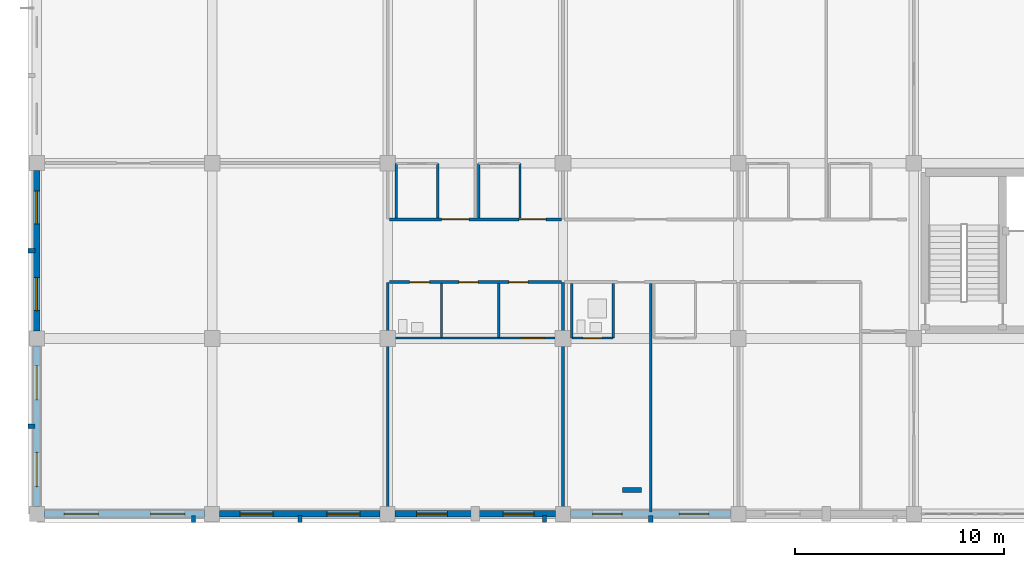
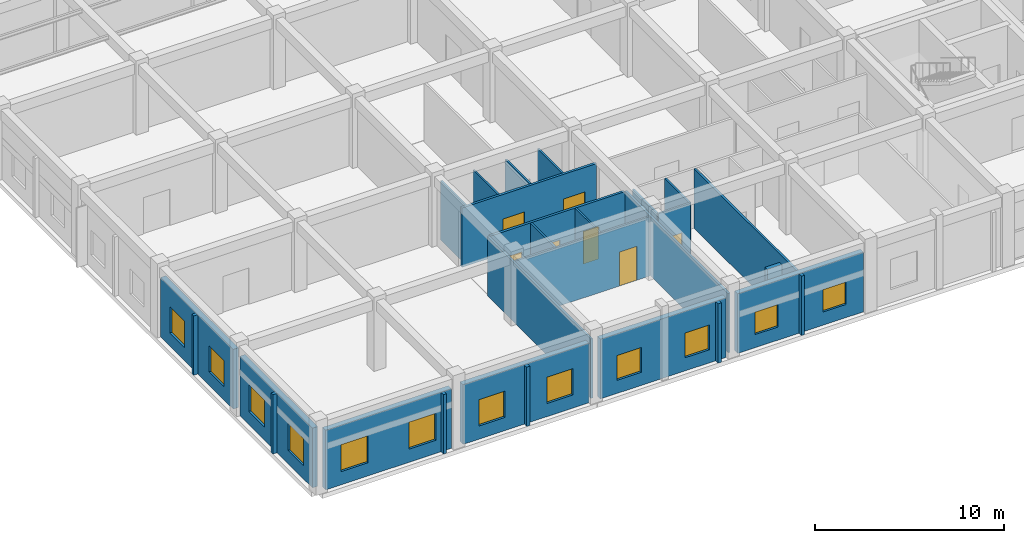
# One storey, part 114 of 158: 28 walls, 12 windows, 7 doors, 19 openings.
"""IFC4 building model written with IfcOpenShell, lengths in metres."""

from ifc_helpers import new_model, si_unit, direction, frame, frame_2d, origin, place, context, subcontext, project, spatial, rectangle, extrude, material, layer, layer_set, type_object, element, fill, save


model = new_model("IFC4")

# Units and contexts
model_context = context("Model", 3, precision=1e-05, world=origin(), true_north=direction((0.0, 1.0)))
body_context = subcontext(model_context, "Body", "Model", "MODEL_VIEW")
ifc_project = project(units=[si_unit("LENGTHUNIT", "METRE"), si_unit("AREAUNIT", "SQUARE_METRE"), si_unit("VOLUMEUNIT", "CUBIC_METRE"), si_unit("PLANEANGLEUNIT", "RADIAN"), si_unit("MASSUNIT", "GRAM", prefix="KILO")], contexts=[model_context])

# Site, building, storey
site_placement = place(None, origin())
site = spatial("IfcSite", under=ifc_project, at=site_placement, CompositionType="ELEMENT")
building_placement = place(site_placement, origin())
building = spatial("IfcBuilding", under=site, at=building_placement, Name="Trelvath General Hospital", CompositionType="ELEMENT")
storey_placement = place(building_placement, frame((0.0, 0.0, 8.10009765625)))
storey = spatial("IfcBuildingStorey", under=building, at=storey_placement, Name="L02", CompositionType="ELEMENT", Elevation=8.10009765625)

# Walls
ifc_material_1 = material(Name="Precast concrete C40/50", Category="concrete")
ifc_layer_1 = layer(ifc_material_1, 0.199951171875)
ifc_layer_set_1 = layer_set([ifc_layer_1], Name="Precast concrete C40/50")
wall_type_1 = type_object("IfcWallType", Name="BriseSoleilRib 200", PredefinedType="ELEMENTEDWALL", material=ifc_layer_set_1)
for number, where, z_axis, x_axis, name in (
    (1, (7.506591796875, -0.074951171875, 0.0), (0.0, 0.0, 1.0), (0.0, -1.0, 0.0), "Precast Concrete Brise-Soleil Rib Fin L02-159"),
    (2, (-0.074951171875, 4.199951171875, 0.0), (0.0, 0.0, 1.0), (-1.0, 0.0, 0.0), "Precast Concrete Brise-Soleil Rib Fin L02-160"),
    (3, (-0.074951171875, 12.60009765625, 0.0), (0.0, 0.0, 1.0), (-1.0, 0.0, 0.0), "Precast Concrete Brise-Soleil Rib Fin L02-161"),
    (4, (12.60009765625, -0.074951171875, 0.0), (0.0, 0.0, 1.0), (0.0, -1.0, 0.0), "Precast Concrete Brise-Soleil Rib Fin L02-173"),
    (5, (24.306640625, -0.074951171875, 0.0), (0.0, 0.0, 1.0), (0.0, -1.0, 0.0), "Precast Concrete Brise-Soleil Rib Fin L02-175"),
    (6, (29.39990234375, -0.074951171875, 0.0), (0.0, 0.0, 1.0), (0.0, -1.0, 0.0), "Precast Concrete Brise-Soleil Rib Fin L02-177"),
):
    element("IfcWall", number, at=place(storey_placement, frame(where, z_axis=z_axis, x_axis=x_axis)), inside=storey, type_object=wall_type_1, Name=name, PredefinedType="ELEMENTEDWALL", context=body_context, shape_type="SweptSolid", body=[
        extrude(rectangle(XDim=0.340087890625, YDim=0.199951171875, at=frame_2d((0.169921875, 0.0))), origin(), (0.0, 0.0, 1.0), 3.83984375),
    ])

# Wall, openings, doors
ifc_material_2 = material(Name="Gypsum acoustic steel-stud partition", Category="steel")
ifc_layer_2 = layer(ifc_material_2, 0.14990234375)
ifc_layer_set_2 = layer_set([ifc_layer_2], Name="Gypsum acoustic steel-stud partition")
wall_type_2 = type_object("IfcWallType", Name="ClinicalPartition 150", PredefinedType="PARTITIONING", material=ifc_layer_set_2)
wall_1_placement = place(storey_placement, frame((16.8798828125, 11.10009765625, 0.0), z_axis=(0.0, 0.0, 1.0), x_axis=(1.0, 0.0, 0.0)))
wall_1 = element("IfcWall", 7, at=wall_1_placement, inside=storey, type_object=wall_type_2, Name="Corridor Partition L02-678", PredefinedType="PARTITIONING", context=body_context, shape_type="SweptSolid", body=[
    extrude(rectangle(XDim=8.240234375, YDim=0.14990234375, at=frame_2d((4.1201171875, 0.0))), origin(), (0.0, 0.0, 1.0), 3.83984375),
])
opening_1_placement = place(wall_1_placement, frame((0.97998046875, 0.0, 0.0)))
opening_1 = element("IfcOpeningElement", 8, at=opening_1_placement, cuts=wall_1, Name="Opening D-2-0626", PredefinedType="OPENING", context=body_context, shape_type="SweptSolid", body=[
    extrude(rectangle(XDim=0.949951171875, YDim=2.14990234375, at=frame_2d((0.47509765625, 1.074951171875))), frame((0.0, 0.0849609375, 0.0), z_axis=(0.0, -1.0, 0.0), x_axis=(1.0, 0.0, 0.0)), (0.0, 0.0, 1.0), 0.169921875),
])
opening_2_placement = place(wall_1_placement, frame((3.330078125, 0.0, 0.0)))
opening_2 = element("IfcOpeningElement", 9, at=opening_2_placement, cuts=wall_1, Name="Opening D-2-0627", PredefinedType="OPENING", context=body_context, shape_type="SweptSolid", body=[
    extrude(rectangle(XDim=0.919921875, YDim=2.10009765625, at=frame_2d((0.4599609375, 1.050048828125))), frame((0.0, 0.0849609375, 0.0), z_axis=(0.0, -1.0, 0.0), x_axis=(1.0, 0.0, 0.0)), (0.0, 0.0, 1.0), 0.169921875),
])
opening_3_placement = place(wall_1_placement, frame((5.72998046875, 0.0, 0.0)))
opening_3 = element("IfcOpeningElement", 10, at=opening_3_placement, cuts=wall_1, Name="Opening D-2-0628", PredefinedType="OPENING", context=body_context, shape_type="SweptSolid", body=[
    extrude(rectangle(XDim=0.919921875, YDim=2.10009765625, at=frame_2d((0.4599609375, 1.050048828125))), frame((0.0, 0.0849609375, 0.0), z_axis=(0.0, -1.0, 0.0), x_axis=(1.0, 0.0, 0.0)), (0.0, 0.0, 1.0), 0.169921875),
])
ifc_material_3 = material(Name="Moisture-sealed timber leaf", Category="wood")
door_type_1 = type_object("IfcDoorType", Name="Door AccessibleWC 950x2150", OperationType="NOTDEFINED", PredefinedType="DOOR", material=ifc_material_3)
door_1_placement = place(opening_1_placement, origin())
door_1 = element("IfcDoor", 11, at=door_1_placement, inside=storey, type_object=door_type_1, Name="Accessible WC Door L02-626", OperationType="SINGLE_SWING_RIGHT", OverallHeight=2.14990234375, OverallWidth=0.949951171875, PredefinedType="DOOR", context=body_context, shape_type="SweptSolid", body=[
    extrude(rectangle(XDim=0.949951171875, YDim=2.14990234375, at=frame_2d((0.47509765625, 1.074951171875))), frame((0.0, 0.02490234375, 0.0), z_axis=(0.0, -1.0, 0.0), x_axis=(1.0, 0.0, 0.0)), (0.0, 0.0, 1.0), 0.050048828125),
])
fill(opening_1, door_1)
ifc_material_4 = material(Name="Moisture-sealed timber leaf", Category="wood")
door_type_2 = type_object("IfcDoorType", Name="Door StaffWC 920x2100", OperationType="NOTDEFINED", PredefinedType="DOOR", material=ifc_material_4)
door_2_placement = place(opening_2_placement, origin())
door_2 = element("IfcDoor", 12, at=door_2_placement, inside=storey, type_object=door_type_2, Name="Public WC Door L02-627", OperationType="SINGLE_SWING_LEFT", OverallHeight=2.10009765625, OverallWidth=0.919921875, PredefinedType="DOOR", context=body_context, shape_type="SweptSolid", body=[
    extrude(rectangle(XDim=0.919921875, YDim=2.10009765625, at=frame_2d((0.4599609375, 1.050048828125))), frame((0.0, 0.02490234375, 0.0), z_axis=(0.0, -1.0, 0.0), x_axis=(1.0, 0.0, 0.0)), (0.0, 0.0, 1.0), 0.050048828125),
])
fill(opening_2, door_2)
door_3_placement = place(opening_3_placement, origin())
door_3 = element("IfcDoor", 13, at=door_3_placement, inside=storey, type_object=door_type_2, Name="Staff WC Door L02-628", OperationType="SINGLE_SWING_RIGHT", OverallHeight=2.10009765625, OverallWidth=0.919921875, PredefinedType="DOOR", context=body_context, shape_type="SweptSolid", body=[
    extrude(rectangle(XDim=0.919921875, YDim=2.10009765625, at=frame_2d((0.4599609375, 1.050048828125))), frame((0.0, 0.02490234375, 0.0), z_axis=(0.0, -1.0, 0.0), x_axis=(1.0, 0.0, 0.0)), (0.0, 0.0, 1.0), 0.050048828125),
])
fill(opening_3, door_3)

wall_2_placement = place(storey_placement, frame((25.1201171875, 14.10009765625, 0.0), z_axis=(0.0, 0.0, 1.0), x_axis=(-1.0, 0.0, 0.0)))
wall_2 = element("IfcWall", 14, at=wall_2_placement, inside=storey, type_object=wall_type_2, Name="Corridor Partition N L02-682", PredefinedType="PARTITIONING", context=body_context, shape_type="SweptSolid", body=[
    extrude(rectangle(XDim=8.240234375, YDim=0.14990234375, at=frame_2d((4.1201171875, 0.0))), origin(), (0.0, 0.0, 1.0), 3.83984375),
])
opening_4_placement = place(wall_2_placement, frame((0.72998046875, 0.0, 0.0)))
opening_4 = element("IfcOpeningElement", 15, at=opening_4_placement, cuts=wall_2, Name="Opening D-2-0630", PredefinedType="OPENING", context=body_context, shape_type="SweptSolid", body=[
    extrude(rectangle(XDim=1.300048828125, YDim=2.25, at=frame_2d((0.64990234375, 1.125))), frame((0.0, 0.0849609375, 0.0), z_axis=(0.0, -1.0, 0.0), x_axis=(1.0, 0.0, 0.0)), (0.0, 0.0, 1.0), 0.169921875),
])
opening_5_placement = place(wall_2_placement, frame((4.429931640625, 0.0, 0.0)))
opening_5 = element("IfcOpeningElement", 16, at=opening_5_placement, cuts=wall_2, Name="Opening D-2-0631", PredefinedType="OPENING", context=body_context, shape_type="SweptSolid", body=[
    extrude(rectangle(XDim=1.300048828125, YDim=2.25, at=frame_2d((0.64990234375, 1.125))), frame((0.0, 0.0849609375, 0.0), z_axis=(0.0, -1.0, 0.0), x_axis=(1.0, 0.0, 0.0)), (0.0, 0.0, 1.0), 0.169921875),
])
ifc_material_5 = material(Name="Hospital bed-leaf timber door", Category="wood")
door_type_3 = type_object("IfcDoorType", Name="Door PatientBed 1300x2250", OperationType="NOTDEFINED", PredefinedType="DOOR", material=ifc_material_5)
door_4_placement = place(opening_4_placement, origin())
door_4 = element("IfcDoor", 17, at=door_4_placement, inside=storey, type_object=door_type_3, Name="Patient Room Door N L02-630", OperationType="SINGLE_SWING_RIGHT", OverallHeight=2.25, OverallWidth=1.300048828125, PredefinedType="DOOR", context=body_context, shape_type="SweptSolid", body=[
    extrude(rectangle(XDim=1.300048828125, YDim=2.25, at=frame_2d((0.64990234375, 1.125))), frame((0.0, 0.02490234375, 0.0), z_axis=(0.0, -1.0, 0.0), x_axis=(1.0, 0.0, 0.0)), (0.0, 0.0, 1.0), 0.050048828125),
])
fill(opening_4, door_4)
door_5_placement = place(opening_5_placement, origin())
door_5 = element("IfcDoor", 18, at=door_5_placement, inside=storey, type_object=door_type_3, Name="Patient Room Door N L02-631", OperationType="SINGLE_SWING_RIGHT", OverallHeight=2.25, OverallWidth=1.300048828125, PredefinedType="DOOR", context=body_context, shape_type="SweptSolid", body=[
    extrude(rectangle(XDim=1.300048828125, YDim=2.25, at=frame_2d((0.64990234375, 1.125))), frame((0.0, 0.02490234375, 0.0), z_axis=(0.0, -1.0, 0.0), x_axis=(1.0, 0.0, 0.0)), (0.0, 0.0, 1.0), 0.050048828125),
])
fill(opening_5, door_5)

# Walls
ifc_material_6 = material(Name="Moisture-resistant tile partition")
ifc_layer_3 = layer(ifc_material_6, 0.110107421875)
ifc_layer_set_3 = layer_set([ifc_layer_3], Name="Moisture-resistant tile partition")
wall_type_3 = type_object("IfcWallType", Name="EnSuiteWetWall 110", PredefinedType="PARTITIONING", material=ifc_layer_set_3)
for number, where, z_axis, x_axis, name in (
    (19, (19.3798828125, 8.43994140625, 0.0), (0.0, 0.0, 1.0), (0.0, 1.0, 0.0), "WC Dividing Wall L02-679"),
    (20, (22.1201171875, 8.43994140625, 0.0), (0.0, 0.0, 1.0), (0.0, 1.0, 0.0), "WC Dividing Wall L02-680"),
):
    element("IfcWall", number, at=place(storey_placement, frame(where, z_axis=z_axis, x_axis=x_axis)), inside=storey, type_object=wall_type_3, Name=name, PredefinedType="PARTITIONING", context=body_context, shape_type="SweptSolid", body=[
        extrude(rectangle(XDim=2.590087890625, YDim=0.110107421875, at=frame_2d((1.294921875, 0.0))), origin(), (0.0, 0.0, 1.0), 3.83984375),
    ])

# Wall, opening, door
wall_3_placement = place(storey_placement, frame((16.8798828125, 8.419921875, 0.0), z_axis=(0.0, 0.0, 1.0), x_axis=(1.0, 0.0, 0.0)))
wall_3 = element("IfcWall", 21, at=wall_3_placement, inside=storey, type_object=wall_type_3, Name="Nurse Station Partition L02-681", PredefinedType="PARTITIONING", context=body_context, shape_type="SweptSolid", body=[
    extrude(rectangle(XDim=8.240234375, YDim=0.110107421875, at=frame_2d((4.1201171875, 0.0))), origin(), (0.0, 0.0, 1.0), 3.83984375),
])
opening_6_placement = place(wall_3_placement, frame((6.3798828125, 0.0, 0.0)))
opening_6 = element("IfcOpeningElement", 22, at=opening_6_placement, cuts=wall_3, Name="Opening D-2-0629", PredefinedType="OPENING", context=body_context, shape_type="SweptSolid", body=[
    extrude(rectangle(XDim=1.050048828125, YDim=2.199951171875, at=frame_2d((0.52490234375, 1.10009765625))), frame((0.0, 0.06494140625, 0.0), z_axis=(0.0, -1.0, 0.0), x_axis=(1.0, 0.0, 0.0)), (0.0, 0.0, 1.0), 0.130126953125),
])
ifc_material_7 = material(Name="Acoustic hospital timber leaf", Category="wood")
door_type_4 = type_object("IfcDoorType", Name="Door Consult 1050x2200", OperationType="NOTDEFINED", PredefinedType="DOOR", material=ifc_material_7)
door_6_placement = place(opening_6_placement, origin())
door_6 = element("IfcDoor", 23, at=door_6_placement, inside=storey, type_object=door_type_4, Name="Nurse Station Door L02-629", OperationType="SINGLE_SWING_LEFT", OverallHeight=2.199951171875, OverallWidth=1.050048828125, PredefinedType="DOOR", context=body_context, shape_type="SweptSolid", body=[
    extrude(rectangle(XDim=1.050048828125, YDim=2.199951171875, at=frame_2d((0.52490234375, 1.10009765625))), frame((0.0, 0.02490234375, 0.0), z_axis=(0.0, -1.0, 0.0), x_axis=(1.0, 0.0, 0.0)), (0.0, 0.0, 1.0), 0.050048828125),
])
fill(opening_6, door_6)

# Walls
for number, where, z_axis, x_axis, name in (
    (24, (17.219970703125, 14.169921875, 0.0), (0.0, 0.0, 1.0), (0.0, 1.0, 0.0), "En-Suite W Wall N L02-684"),
    (25, (19.199951171875, 14.169921875, 0.0), (0.0, 0.0, 1.0), (0.0, 1.0, 0.0), "En-Suite E Wall N L02-685"),
    (26, (21.159912109375, 14.169921875, 0.0), (0.0, 0.0, 1.0), (0.0, 1.0, 0.0), "En-Suite W Wall N L02-687"),
    (27, (23.139892578125, 14.169921875, 0.0), (0.0, 0.0, 1.0), (0.0, 1.0, 0.0), "En-Suite E Wall N L02-688"),
    (28, (25.6201171875, 8.419921875, 0.0), (0.0, 0.0, 1.0), (0.0, 1.0, 0.0), "En-Suite W Wall L02-694"),
    (29, (27.60009765625, 8.419921875, 0.0), (0.0, 0.0, 1.0), (0.0, 1.0, 0.0), "En-Suite E Wall L02-695"),
):
    element("IfcWall", number, at=place(storey_placement, frame(where, z_axis=z_axis, x_axis=x_axis)), inside=storey, type_object=wall_type_3, Name=name, PredefinedType="PARTITIONING", context=body_context, shape_type="SweptSolid", body=[
        extrude(rectangle(XDim=2.610107421875, YDim=0.110107421875, at=frame_2d((1.30517578125, 0.0))), origin(), (0.0, 0.0, 1.0), 3.83984375),
    ])

# Wall, opening, door
wall_4_placement = place(storey_placement, frame((25.6201171875, 8.419921875, 0.0), z_axis=(0.0, 0.0, 1.0), x_axis=(1.0, 0.0, 0.0)))
wall_4 = element("IfcWall", 30, at=wall_4_placement, inside=storey, type_object=wall_type_3, Name="En-Suite Bathroom Partition L02-696", PredefinedType="PARTITIONING", context=body_context, shape_type="SweptSolid", body=[
    extrude(rectangle(XDim=1.97998046875, YDim=0.110107421875, at=frame_2d((0.989990234375, 0.0))), origin(), (0.0, 0.0, 1.0), 3.83984375),
])
opening_7_placement = place(wall_4_placement, frame((0.5400390625, 0.0, 0.0)))
opening_7 = element("IfcOpeningElement", 31, at=opening_7_placement, cuts=wall_4, Name="Opening D-2-0636", PredefinedType="OPENING", context=body_context, shape_type="SweptSolid", body=[
    extrude(rectangle(XDim=0.89990234375, YDim=2.10009765625, at=frame_2d((0.449951171875, 1.050048828125))), frame((0.0, 0.06494140625, 0.0), z_axis=(0.0, -1.0, 0.0), x_axis=(1.0, 0.0, 0.0)), (0.0, 0.0, 1.0), 0.130126953125),
])
ifc_material_8 = material(Name="Moisture-sealed timber leaf", Category="wood")
door_type_5 = type_object("IfcDoorType", Name="Door EnSuite 900x2100", OperationType="NOTDEFINED", PredefinedType="DOOR", material=ifc_material_8)
door_7_placement = place(opening_7_placement, origin())
door_7 = element("IfcDoor", 32, at=door_7_placement, inside=storey, type_object=door_type_5, Name="En-Suite Bathroom Door L02-636", OperationType="SINGLE_SWING_LEFT", OverallHeight=2.10009765625, OverallWidth=0.89990234375, PredefinedType="DOOR", context=body_context, shape_type="SweptSolid", body=[
    extrude(rectangle(XDim=0.89990234375, YDim=2.10009765625, at=frame_2d((0.449951171875, 1.050048828125))), frame((0.0, 0.02490234375, 0.0), z_axis=(0.0, -1.0, 0.0), x_axis=(1.0, 0.0, 0.0)), (0.0, 0.0, 1.0), 0.050048828125),
])
fill(opening_7, door_7)

# Wall, openings, windows
ifc_material_9 = material(Name="Concrete C35/45", Category="concrete")
ifc_layer_4 = layer(ifc_material_9, 0.320068359375)
ifc_layer_set_4 = layer_set([ifc_layer_4], Name="Concrete C35/45")
wall_type_4 = type_object("IfcWallType", Name="ExtThermalWall 320", PredefinedType="SOLIDWALL", material=ifc_layer_set_4)
wall_5_placement = place(storey_placement, frame((8.044921875, 0.0, 0.0), z_axis=(0.0, 0.0, 1.0), x_axis=(-1.0, 0.0, 0.0)))
wall_5 = element("IfcWall", 33, at=wall_5_placement, inside=storey, type_object=wall_type_4, Name="Exterior Concrete Wall L02-220", PredefinedType="SOLIDWALL", context=body_context, shape_type="SweptSolid", body=[
    extrude(rectangle(XDim=7.68994140625, YDim=0.320068359375, at=frame_2d((3.844970703125, 0.0))), origin(), (0.0, 0.0, 1.0), 3.85986328125),
])
opening_8_placement = place(wall_5_placement, frame((0.94873046875, 0.0, 0.85009765625)))
opening_8 = element("IfcOpeningElement", 34, at=opening_8_placement, cuts=wall_5, Name="Opening WN-2-341", PredefinedType="OPENING", context=body_context, shape_type="SweptSolid", body=[
    extrude(rectangle(XDim=1.639892578125, YDim=1.75, at=frame_2d((0.81982421875, 0.875))), frame((0.0, 0.169921875, 0.0), z_axis=(0.0, -1.0, 0.0), x_axis=(1.0, 0.0, 0.0)), (0.0, 0.0, 1.0), 0.340087890625),
])
opening_9_placement = place(wall_5_placement, frame((5.101318359375, 0.0, 0.85009765625)))
opening_9 = element("IfcOpeningElement", 35, at=opening_9_placement, cuts=wall_5, Name="Opening WN-2-342", PredefinedType="OPENING", context=body_context, shape_type="SweptSolid", body=[
    extrude(rectangle(XDim=1.639892578125, YDim=1.75, at=frame_2d((0.81982421875, 0.875))), frame((0.0, 0.169921875, 0.0), z_axis=(0.0, -1.0, 0.0), x_axis=(1.0, 0.0, 0.0)), (0.0, 0.0, 1.0), 0.340087890625),
])
ifc_material_10 = material(Name="Low-E laminated glass", Category="glass")
window_type_1 = type_object("IfcWindowType", Name="Window ICU 1640x1750", PartitioningType="DOUBLE_PANEL_VERTICAL", PredefinedType="WINDOW", material=ifc_material_10)
window_1_placement = place(opening_8_placement, origin())
window_1 = element("IfcWindow", 36, at=window_1_placement, inside=storey, type_object=window_type_1, Name="Solar Reveal Window L02-341", OverallHeight=1.75, OverallWidth=1.639892578125, PartitioningType="SINGLE_PANEL", PredefinedType="WINDOW", context=body_context, shape_type="SweptSolid", body=[
    extrude(rectangle(XDim=1.639892578125, YDim=1.75, at=frame_2d((0.81982421875, 0.875))), frame((0.0, 0.030029296875, 0.0), z_axis=(0.0, -1.0, 0.0), x_axis=(1.0, 0.0, 0.0)), (0.0, 0.0, 1.0), 0.06005859375),
])
fill(opening_8, window_1)
window_2_placement = place(opening_9_placement, origin())
window_2 = element("IfcWindow", 37, at=window_2_placement, inside=storey, type_object=window_type_1, Name="Solar Reveal Window L02-342", OverallHeight=1.75, OverallWidth=1.639892578125, PartitioningType="SINGLE_PANEL", PredefinedType="WINDOW", context=body_context, shape_type="SweptSolid", body=[
    extrude(rectangle(XDim=1.639892578125, YDim=1.75, at=frame_2d((0.81982421875, 0.875))), frame((0.0, 0.030029296875, 0.0), z_axis=(0.0, -1.0, 0.0), x_axis=(1.0, 0.0, 0.0)), (0.0, 0.0, 1.0), 0.06005859375),
])
fill(opening_9, window_2)

wall_6_placement = place(storey_placement, frame((0.0, 0.35498046875, 0.0), z_axis=(0.0, 0.0, 1.0), x_axis=(0.0, 1.0, 0.0)))
wall_6 = element("IfcWall", 38, at=wall_6_placement, inside=storey, type_object=wall_type_4, Name="Exterior Concrete Wall L02-221", PredefinedType="SOLIDWALL", context=body_context, shape_type="SweptSolid", body=[
    extrude(rectangle(XDim=7.68994140625, YDim=0.320068359375, at=frame_2d((3.844970703125, 0.0))), origin(), (0.0, 0.0, 1.0), 3.85986328125),
])
opening_10_placement = place(wall_6_placement, frame((0.94873046875, 0.0, 0.85009765625)))
opening_10 = element("IfcOpeningElement", 39, at=opening_10_placement, cuts=wall_6, Name="Opening WN-2-343", PredefinedType="OPENING", context=body_context, shape_type="SweptSolid", body=[
    extrude(rectangle(XDim=1.639892578125, YDim=1.75, at=frame_2d((0.81982421875, 0.875))), frame((0.0, 0.169921875, 0.0), z_axis=(0.0, -1.0, 0.0), x_axis=(1.0, 0.0, 0.0)), (0.0, 0.0, 1.0), 0.340087890625),
])
opening_11_placement = place(wall_6_placement, frame((5.101318359375, 0.0, 0.85009765625)))
opening_11 = element("IfcOpeningElement", 40, at=opening_11_placement, cuts=wall_6, Name="Opening WN-2-344", PredefinedType="OPENING", context=body_context, shape_type="SweptSolid", body=[
    extrude(rectangle(XDim=1.639892578125, YDim=1.75, at=frame_2d((0.81982421875, 0.875))), frame((0.0, 0.169921875, 0.0), z_axis=(0.0, -1.0, 0.0), x_axis=(1.0, 0.0, 0.0)), (0.0, 0.0, 1.0), 0.340087890625),
])
window_3_placement = place(opening_10_placement, origin())
window_3 = element("IfcWindow", 41, at=window_3_placement, inside=storey, type_object=window_type_1, Name="Solar Reveal Window L02-343", OverallHeight=1.75, OverallWidth=1.639892578125, PartitioningType="SINGLE_PANEL", PredefinedType="WINDOW", context=body_context, shape_type="SweptSolid", body=[
    extrude(rectangle(XDim=1.639892578125, YDim=1.75, at=frame_2d((0.81982421875, 0.875))), frame((0.0, 0.030029296875, 0.0), z_axis=(0.0, -1.0, 0.0), x_axis=(1.0, 0.0, 0.0)), (0.0, 0.0, 1.0), 0.06005859375),
])
fill(opening_10, window_3)
window_4_placement = place(opening_11_placement, origin())
window_4 = element("IfcWindow", 42, at=window_4_placement, inside=storey, type_object=window_type_1, Name="Solar Reveal Window L02-344", OverallHeight=1.75, OverallWidth=1.639892578125, PartitioningType="SINGLE_PANEL", PredefinedType="WINDOW", context=body_context, shape_type="SweptSolid", body=[
    extrude(rectangle(XDim=1.639892578125, YDim=1.75, at=frame_2d((0.81982421875, 0.875))), frame((0.0, 0.030029296875, 0.0), z_axis=(0.0, -1.0, 0.0), x_axis=(1.0, 0.0, 0.0)), (0.0, 0.0, 1.0), 0.06005859375),
])
fill(opening_11, window_4)

wall_7_placement = place(storey_placement, frame((0.0, 8.7548828125, 0.0), z_axis=(0.0, 0.0, 1.0), x_axis=(0.0, 1.0, 0.0)))
wall_7 = element("IfcWall", 43, at=wall_7_placement, inside=storey, type_object=wall_type_4, Name="Exterior Concrete Wall L02-222", PredefinedType="SOLIDWALL", context=body_context, shape_type="SweptSolid", body=[
    extrude(rectangle(XDim=7.690185546875, YDim=0.320068359375, at=frame_2d((3.84521484375, 0.0))), origin(), (0.0, 0.0, 1.0), 3.85986328125),
])
opening_12_placement = place(wall_7_placement, frame((0.978759765625, 0.0, 0.85009765625)))
opening_12 = element("IfcOpeningElement", 44, at=opening_12_placement, cuts=wall_7, Name="Opening WN-2-345", PredefinedType="OPENING", context=body_context, shape_type="SweptSolid", body=[
    extrude(rectangle(XDim=1.580078125, YDim=1.699951171875, at=frame_2d((0.7900390625, 0.85009765625))), frame((0.0, 0.169921875, 0.0), z_axis=(0.0, -1.0, 0.0), x_axis=(1.0, 0.0, 0.0)), (0.0, 0.0, 1.0), 0.340087890625),
])
opening_13_placement = place(wall_7_placement, frame((5.13134765625, 0.0, 0.85009765625)))
opening_13 = element("IfcOpeningElement", 45, at=opening_13_placement, cuts=wall_7, Name="Opening WN-2-346", PredefinedType="OPENING", context=body_context, shape_type="SweptSolid", body=[
    extrude(rectangle(XDim=1.580078125, YDim=1.699951171875, at=frame_2d((0.7900390625, 0.85009765625))), frame((0.0, 0.169921875, 0.0), z_axis=(0.0, -1.0, 0.0), x_axis=(1.0, 0.0, 0.0)), (0.0, 0.0, 1.0), 0.340087890625),
])
ifc_material_11 = material(Name="Low-E laminated glass", Category="glass")
window_type_2 = type_object("IfcWindowType", Name="Window Recovery 1580x1700", PartitioningType="DOUBLE_PANEL_VERTICAL", PredefinedType="WINDOW", material=ifc_material_11)
window_5_placement = place(opening_12_placement, origin())
window_5 = element("IfcWindow", 46, at=window_5_placement, inside=storey, type_object=window_type_2, Name="Solar Reveal Window L02-345", OverallHeight=1.699951171875, OverallWidth=1.580078125, PartitioningType="SINGLE_PANEL", PredefinedType="WINDOW", context=body_context, shape_type="SweptSolid", body=[
    extrude(rectangle(XDim=1.580078125, YDim=1.699951171875, at=frame_2d((0.7900390625, 0.85009765625))), frame((0.0, 0.030029296875, 0.0), z_axis=(0.0, -1.0, 0.0), x_axis=(1.0, 0.0, 0.0)), (0.0, 0.0, 1.0), 0.06005859375),
])
fill(opening_12, window_5)
window_6_placement = place(opening_13_placement, origin())
window_6 = element("IfcWindow", 47, at=window_6_placement, inside=storey, type_object=window_type_2, Name="Solar Reveal Window L02-346", OverallHeight=1.699951171875, OverallWidth=1.580078125, PartitioningType="SINGLE_PANEL", PredefinedType="WINDOW", context=body_context, shape_type="SweptSolid", body=[
    extrude(rectangle(XDim=1.580078125, YDim=1.699951171875, at=frame_2d((0.7900390625, 0.85009765625))), frame((0.0, 0.030029296875, 0.0), z_axis=(0.0, -1.0, 0.0), x_axis=(1.0, 0.0, 0.0)), (0.0, 0.0, 1.0), 0.06005859375),
])
fill(opening_13, window_6)

wall_8_placement = place(storey_placement, frame((16.445068359375, 0.0, 0.0), z_axis=(0.0, 0.0, 1.0), x_axis=(-1.0, 0.0, 0.0)))
wall_8 = element("IfcWall", 48, at=wall_8_placement, inside=storey, type_object=wall_type_4, Name="Exterior Concrete Wall L02-236", PredefinedType="SOLIDWALL", context=body_context, shape_type="SweptSolid", body=[
    extrude(rectangle(XDim=7.690185546875, YDim=0.320068359375, at=frame_2d((3.84521484375, 0.0))), origin(), (0.0, 0.0, 1.0), 3.85986328125),
])
opening_14_placement = place(wall_8_placement, frame((0.978759765625, 0.0, 0.85009765625)))
opening_14 = element("IfcOpeningElement", 49, at=opening_14_placement, cuts=wall_8, Name="Opening WN-2-369", PredefinedType="OPENING", context=body_context, shape_type="SweptSolid", body=[
    extrude(rectangle(XDim=1.580078125, YDim=1.699951171875, at=frame_2d((0.7900390625, 0.85009765625))), frame((0.0, 0.169921875, 0.0), z_axis=(0.0, -1.0, 0.0), x_axis=(1.0, 0.0, 0.0)), (0.0, 0.0, 1.0), 0.340087890625),
])
opening_15_placement = place(wall_8_placement, frame((5.13134765625, 0.0, 0.85009765625)))
opening_15 = element("IfcOpeningElement", 50, at=opening_15_placement, cuts=wall_8, Name="Opening WN-2-370", PredefinedType="OPENING", context=body_context, shape_type="SweptSolid", body=[
    extrude(rectangle(XDim=1.580078125, YDim=1.699951171875, at=frame_2d((0.7900390625, 0.85009765625))), frame((0.0, 0.169921875, 0.0), z_axis=(0.0, -1.0, 0.0), x_axis=(1.0, 0.0, 0.0)), (0.0, 0.0, 1.0), 0.340087890625),
])
window_7_placement = place(opening_14_placement, origin())
window_7 = element("IfcWindow", 51, at=window_7_placement, inside=storey, type_object=window_type_2, Name="Solar Reveal Window L02-369", OverallHeight=1.699951171875, OverallWidth=1.580078125, PartitioningType="SINGLE_PANEL", PredefinedType="WINDOW", context=body_context, shape_type="SweptSolid", body=[
    extrude(rectangle(XDim=1.580078125, YDim=1.699951171875, at=frame_2d((0.7900390625, 0.85009765625))), frame((0.0, 0.030029296875, 0.0), z_axis=(0.0, -1.0, 0.0), x_axis=(1.0, 0.0, 0.0)), (0.0, 0.0, 1.0), 0.06005859375),
])
fill(opening_14, window_7)
window_8_placement = place(opening_15_placement, origin())
window_8 = element("IfcWindow", 52, at=window_8_placement, inside=storey, type_object=window_type_2, Name="Solar Reveal Window L02-370", OverallHeight=1.699951171875, OverallWidth=1.580078125, PartitioningType="SINGLE_PANEL", PredefinedType="WINDOW", context=body_context, shape_type="SweptSolid", body=[
    extrude(rectangle(XDim=1.580078125, YDim=1.699951171875, at=frame_2d((0.7900390625, 0.85009765625))), frame((0.0, 0.030029296875, 0.0), z_axis=(0.0, -1.0, 0.0), x_axis=(1.0, 0.0, 0.0)), (0.0, 0.0, 1.0), 0.06005859375),
])
fill(opening_15, window_8)

wall_9_placement = place(storey_placement, frame((24.844970703125, 0.0, 0.0), z_axis=(0.0, 0.0, 1.0), x_axis=(-1.0, 0.0, 0.0)))
wall_9 = element("IfcWall", 53, at=wall_9_placement, inside=storey, type_object=wall_type_4, Name="Exterior Concrete Wall L02-238", PredefinedType="SOLIDWALL", context=body_context, shape_type="SweptSolid", body=[
    extrude(rectangle(XDim=7.68994140625, YDim=0.320068359375, at=frame_2d((3.844970703125, 0.0))), origin(), (0.0, 0.0, 1.0), 3.85986328125),
])
opening_16_placement = place(wall_9_placement, frame((1.02880859375, 0.0, 0.85009765625)))
opening_16 = element("IfcOpeningElement", 54, at=opening_16_placement, cuts=wall_9, Name="Opening WN-2-373", PredefinedType="OPENING", context=body_context, shape_type="SweptSolid", body=[
    extrude(rectangle(XDim=1.47998046875, YDim=1.60009765625, at=frame_2d((0.739990234375, 0.800048828125))), frame((0.0, 0.169921875, 0.0), z_axis=(0.0, -1.0, 0.0), x_axis=(1.0, 0.0, 0.0)), (0.0, 0.0, 1.0), 0.340087890625),
])
opening_17_placement = place(wall_9_placement, frame((5.181396484375, 0.0, 0.85009765625)))
opening_17 = element("IfcOpeningElement", 55, at=opening_17_placement, cuts=wall_9, Name="Opening WN-2-374", PredefinedType="OPENING", context=body_context, shape_type="SweptSolid", body=[
    extrude(rectangle(XDim=1.47998046875, YDim=1.60009765625, at=frame_2d((0.739990234375, 0.800048828125))), frame((0.0, 0.169921875, 0.0), z_axis=(0.0, -1.0, 0.0), x_axis=(1.0, 0.0, 0.0)), (0.0, 0.0, 1.0), 0.340087890625),
])
ifc_material_12 = material(Name="Low-E laminated glass", Category="glass")
window_type_3 = type_object("IfcWindowType", Name="Window Clinic 1480x1600", PartitioningType="DOUBLE_PANEL_VERTICAL", PredefinedType="WINDOW", material=ifc_material_12)
window_9_placement = place(opening_16_placement, origin())
window_9 = element("IfcWindow", 56, at=window_9_placement, inside=storey, type_object=window_type_3, Name="Solar Reveal Window L02-373", OverallHeight=1.60009765625, OverallWidth=1.47998046875, PartitioningType="SINGLE_PANEL", PredefinedType="WINDOW", context=body_context, shape_type="SweptSolid", body=[
    extrude(rectangle(XDim=1.47998046875, YDim=1.60009765625, at=frame_2d((0.739990234375, 0.800048828125))), frame((0.0, 0.030029296875, 0.0), z_axis=(0.0, -1.0, 0.0), x_axis=(1.0, 0.0, 0.0)), (0.0, 0.0, 1.0), 0.06005859375),
])
fill(opening_16, window_9)
window_10_placement = place(opening_17_placement, origin())
window_10 = element("IfcWindow", 57, at=window_10_placement, inside=storey, type_object=window_type_3, Name="Solar Reveal Window L02-374", OverallHeight=1.60009765625, OverallWidth=1.47998046875, PartitioningType="SINGLE_PANEL", PredefinedType="WINDOW", context=body_context, shape_type="SweptSolid", body=[
    extrude(rectangle(XDim=1.47998046875, YDim=1.60009765625, at=frame_2d((0.739990234375, 0.800048828125))), frame((0.0, 0.030029296875, 0.0), z_axis=(0.0, -1.0, 0.0), x_axis=(1.0, 0.0, 0.0)), (0.0, 0.0, 1.0), 0.06005859375),
])
fill(opening_17, window_10)

wall_10_placement = place(storey_placement, frame((33.2451171875, 0.0, 0.0), z_axis=(0.0, 0.0, 1.0), x_axis=(-1.0, 0.0, 0.0)))
wall_10 = element("IfcWall", 58, at=wall_10_placement, inside=storey, type_object=wall_type_4, Name="Exterior Concrete Wall L02-240", PredefinedType="SOLIDWALL", context=body_context, shape_type="SweptSolid", body=[
    extrude(rectangle(XDim=7.690185546875, YDim=0.320068359375, at=frame_2d((3.84521484375, 0.0))), origin(), (0.0, 0.0, 1.0), 3.85986328125),
])
opening_18_placement = place(wall_10_placement, frame((1.05859375, 0.0, 0.85009765625)))
opening_18 = element("IfcOpeningElement", 59, at=opening_18_placement, cuts=wall_10, Name="Opening WN-2-377", PredefinedType="OPENING", context=body_context, shape_type="SweptSolid", body=[
    extrude(rectangle(XDim=1.419921875, YDim=1.449951171875, at=frame_2d((0.7099609375, 0.72509765625))), frame((0.0, 0.169921875, 0.0), z_axis=(0.0, -1.0, 0.0), x_axis=(1.0, 0.0, 0.0)), (0.0, 0.0, 1.0), 0.340087890625),
])
opening_19_placement = place(wall_10_placement, frame((5.211181640625, 0.0, 0.85009765625)))
opening_19 = element("IfcOpeningElement", 60, at=opening_19_placement, cuts=wall_10, Name="Opening WN-2-378", PredefinedType="OPENING", context=body_context, shape_type="SweptSolid", body=[
    extrude(rectangle(XDim=1.419921875, YDim=1.449951171875, at=frame_2d((0.7099609375, 0.72509765625))), frame((0.0, 0.169921875, 0.0), z_axis=(0.0, -1.0, 0.0), x_axis=(1.0, 0.0, 0.0)), (0.0, 0.0, 1.0), 0.340087890625),
])
ifc_material_13 = material(Name="Low-E laminated glass", Category="glass")
window_type_4 = type_object("IfcWindowType", Name="Window Lab 1420x1450", PartitioningType="DOUBLE_PANEL_VERTICAL", PredefinedType="WINDOW", material=ifc_material_13)
window_11_placement = place(opening_18_placement, origin())
window_11 = element("IfcWindow", 61, at=window_11_placement, inside=storey, type_object=window_type_4, Name="Solar Reveal Window L02-377", OverallHeight=1.449951171875, OverallWidth=1.419921875, PartitioningType="SINGLE_PANEL", PredefinedType="WINDOW", context=body_context, shape_type="SweptSolid", body=[
    extrude(rectangle(XDim=1.419921875, YDim=1.449951171875, at=frame_2d((0.7099609375, 0.72509765625))), frame((0.0, 0.030029296875, 0.0), z_axis=(0.0, -1.0, 0.0), x_axis=(1.0, 0.0, 0.0)), (0.0, 0.0, 1.0), 0.06005859375),
])
fill(opening_18, window_11)
window_12_placement = place(opening_19_placement, origin())
window_12 = element("IfcWindow", 62, at=window_12_placement, inside=storey, type_object=window_type_4, Name="Solar Reveal Window L02-378", OverallHeight=1.449951171875, OverallWidth=1.419921875, PartitioningType="SINGLE_PANEL", PredefinedType="WINDOW", context=body_context, shape_type="SweptSolid", body=[
    extrude(rectangle(XDim=1.419921875, YDim=1.449951171875, at=frame_2d((0.7099609375, 0.72509765625))), frame((0.0, 0.030029296875, 0.0), z_axis=(0.0, -1.0, 0.0), x_axis=(1.0, 0.0, 0.0)), (0.0, 0.0, 1.0), 0.06005859375),
])
fill(opening_19, window_12)

# Walls
ifc_material_14 = material(Name="Masonry service chase blockwork", Category="masonry")
ifc_layer_5 = layer(ifc_material_14, 0.239990234375)
ifc_layer_set_5 = layer_set([ifc_layer_5], Name="Masonry service chase blockwork")
wall_type_5 = type_object("IfcWallType", Name="PlumbingChaseWall 240", PredefinedType="PLUMBINGWALL", material=ifc_layer_set_5)
wall_11_placement = place(storey_placement, frame((28.050048828125, 1.14990234375, 0.0), z_axis=(0.0, 0.0, 1.0), x_axis=(1.0, 0.0, 0.0)))
element("IfcWall", 63, at=wall_11_placement, inside=storey, type_object=wall_type_5, Name="Medical Gas Plumbing Chase L02-700", PredefinedType="PLUMBINGWALL", context=body_context, shape_type="SweptSolid", body=[
    extrude(rectangle(XDim=0.89990234375, YDim=0.239990234375, at=frame_2d((0.449951171875, 0.0))), origin(), (0.0, 0.0, 1.0), 3.83984375),
])
ifc_material_15 = material(Name="Gypsum acoustic steel-stud partition", Category="steel")
ifc_layer_6 = layer(ifc_material_15, 0.1298828125)
ifc_layer_set_6 = layer_set([ifc_layer_6], Name="Gypsum acoustic steel-stud partition")
wall_type_6 = type_object("IfcWallType", Name="WardPartition 130", PredefinedType="PARTITIONING", material=ifc_layer_set_6)
for number, where, z_axis, x_axis, name in (
    (64, (16.800048828125, 0.139892578125, 0.0), (0.0, 0.0, 1.0), (0.0, 1.0, 0.0), "Inter-Bay Ward Partition S L02-676"),
    (65, (25.199951171875, 0.139892578125, 0.0), (0.0, 0.0, 1.0), (0.0, 1.0, 0.0), "Inter-Bay Ward Partition S L02-690"),
):
    element("IfcWall", number, at=place(storey_placement, frame(where, z_axis=z_axis, x_axis=x_axis)), inside=storey, type_object=wall_type_6, Name=name, PredefinedType="PARTITIONING", context=body_context, shape_type="SweptSolid", body=[
        extrude(rectangle(XDim=10.940185546875, YDim=0.1298828125, at=frame_2d((5.47021484375, 0.0))), origin(), (0.0, 0.0, 1.0), 3.83984375),
    ])
wall_12_placement = place(storey_placement, frame((29.39990234375, 0.10009765625, 0.0), z_axis=(0.0, 0.0, 1.0), x_axis=(0.0, 1.0, 0.0)))
element("IfcWall", 66, at=wall_12_placement, inside=storey, type_object=wall_type_6, Name="Room Dividing Partition S L02-693", PredefinedType="PARTITIONING", context=body_context, shape_type="SweptSolid", body=[
    extrude(rectangle(XDim=10.929931640625, YDim=0.1298828125, at=frame_2d((5.46484375, 0.0))), origin(), (0.0, 0.0, 1.0), 3.83984375),
])

save(model, "model.ifc")
